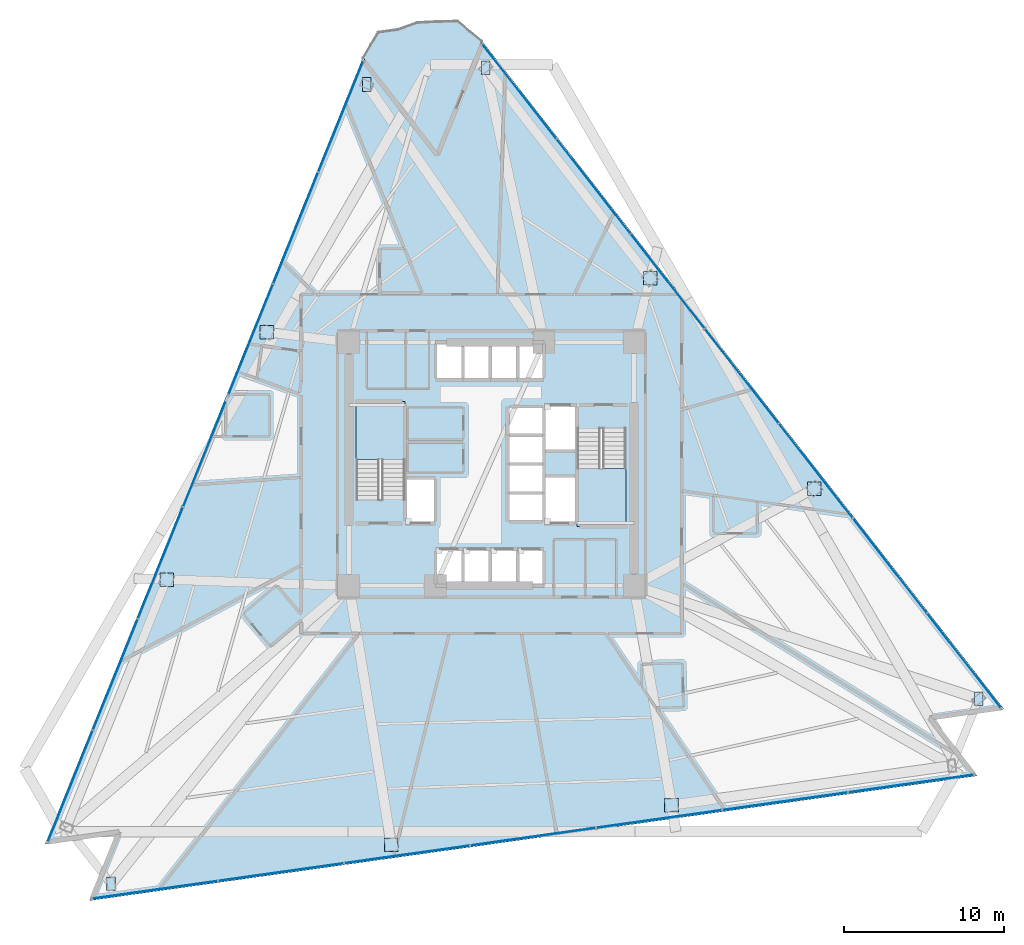
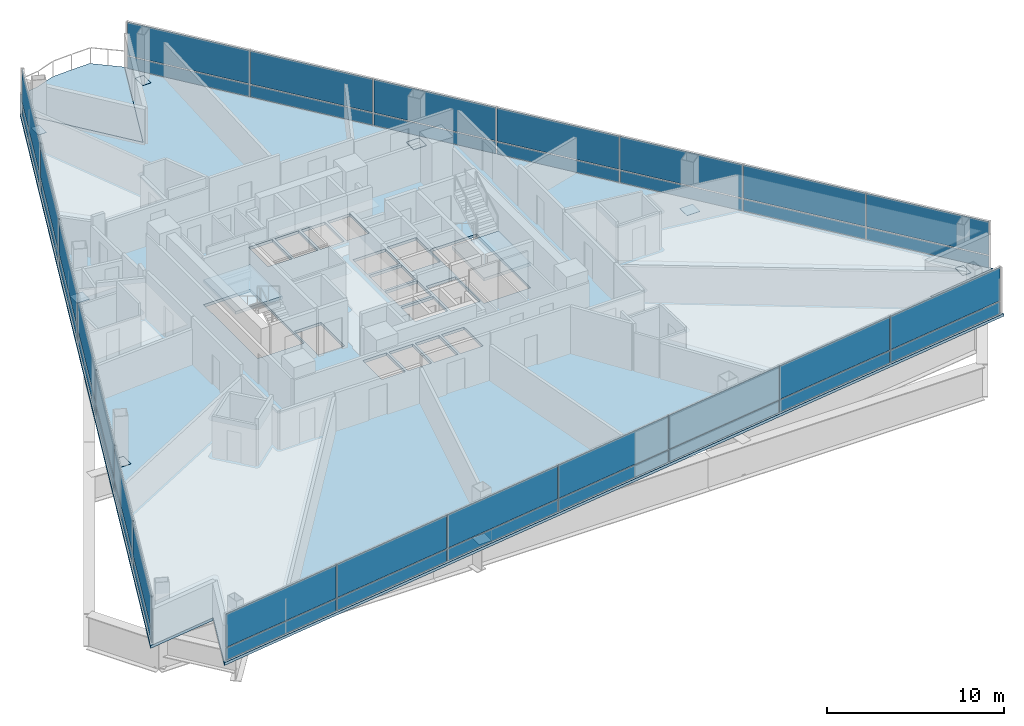
# One storey, part 6 of 15: 52 plates, 4 slabs, 5 elements without a shape of their own.
"""IFC4 building model written with IfcOpenShell, lengths in metres."""

import ifcopenshell
import ifcopenshell.guid

model = None  # the IFC model being written
_history = None  # IfcOwnerHistory: only IFC2X3 demands one
_inside = {}  # id of a spatial element -> (the spatial element, [elements in it])
_under = {}  # id of a project, library or spatial element -> (it, [spatial elements below it])
_declared = {}  # id of a project -> (the project, [libraries it declares])
_typed = {}  # id of a type object -> (the type object, [elements of that type])
_made_of = {}  # id of a material, layer set ... -> (it, [elements and type objects made of it])


def new_model(schema):
    """Start an empty IFC model of exactly this schema.

    Asked for "IFC4X3", IfcOpenShell would pick the latest addendum, in which some entities
    have other attributes; the version numbers below select the first issue.
    IFC2X3 requires an IfcOwnerHistory on every rooted entity: one is made here for all.
    """
    global model, _history
    if schema == "IFC4X3":
        model = ifcopenshell.file(schema_version=(4, 3, 0, 0))
    else:
        model = ifcopenshell.file(schema=schema)
    _inside.clear()
    _under.clear()
    _declared.clear()
    _typed.clear()
    _made_of.clear()
    _history = None
    if model.schema == "IFC2X3":
        org = make("IfcOrganization", Name="unknown")
        user = make(
            "IfcPersonAndOrganization",
            ThePerson=make("IfcPerson", FamilyName="unknown"),
            TheOrganization=org,
        )
        app = make(
            "IfcApplication",
            ApplicationDeveloper=org,
            Version="unknown",
            ApplicationFullName="unknown",
            ApplicationIdentifier="unknown",
        )
        _history = make(
            "IfcOwnerHistory",
            OwningUser=user,
            OwningApplication=app,
            ChangeAction="ADDED",
            CreationDate=0,
        )
    return model


def make(cls, **values):
    """One entity of the class cls with the attributes given. An attribute that is None is left unset."""
    return model.create_entity(
        cls, **{name: value for name, value in values.items() if value is not None}
    )


def rooted(cls, **values):
    """An entity with a GlobalId (a new one), such as an element, a storey or a relation."""
    return make(cls, GlobalId=ifcopenshell.guid.new(), OwnerHistory=_history, **values)


def si_unit(unit_type, name, prefix=None):
    """IfcSIUnit, for example si_unit("LENGTHUNIT", "METRE", prefix="MILLI")."""
    return make("IfcSIUnit", UnitType=unit_type, Prefix=prefix, Name=name)


def assignment(units):
    """IfcUnitAssignment: the units of a project."""
    return None if units is None else make("IfcUnitAssignment", Units=units)


def point(xyz):
    """IfcCartesianPoint."""
    return None if xyz is None else make("IfcCartesianPoint", Coordinates=xyz)


def direction(xyz):
    """IfcDirection."""
    return None if xyz is None else make("IfcDirection", DirectionRatios=xyz)


def frame(location, z_axis=None, x_axis=None):
    """IfcAxis2Placement3D, a coordinate frame: its origin and axes. An axis left out is left unset."""
    return make(
        "IfcAxis2Placement3D",
        Location=point(location),
        Axis=direction(z_axis),
        RefDirection=direction(x_axis),
    )


def frame_2d(location, x_axis=None):
    """IfcAxis2Placement2D, a coordinate frame in the plane: its origin and x axis."""
    return make(
        "IfcAxis2Placement2D", Location=point(location), RefDirection=direction(x_axis)
    )


def origin():
    """The frame at (0, 0, 0) with its axes left unset."""
    return frame((0.0, 0.0, 0.0))


def origin_2d():
    """The frame at (0, 0) in the plane with its x axis left unset."""
    return frame_2d((0.0, 0.0))


def place(relative_to, where):
    """IfcLocalPlacement: puts the frame where relative to a parent placement (None: the world)."""
    return make(
        "IfcLocalPlacement", PlacementRelTo=relative_to, RelativePlacement=where
    )


def context(
    kind, dimensions, precision=None, world=None, true_north=None, identifier=None
):
    """IfcGeometricRepresentationContext, for example the 3D "Model" context."""
    return make(
        "IfcGeometricRepresentationContext",
        ContextIdentifier=identifier,
        ContextType=kind,
        CoordinateSpaceDimension=dimensions,
        Precision=precision,
        WorldCoordinateSystem=world,
        TrueNorth=true_north,
    )


def subcontext(parent, identifier, kind, view, scale=None):
    """IfcGeometricRepresentationSubContext, for example "Body" below "Model"."""
    return make(
        "IfcGeometricRepresentationSubContext",
        ContextIdentifier=identifier,
        ContextType=kind,
        ParentContext=parent,
        TargetScale=scale,
        TargetView=view,
    )


def project(units=None, contexts=None):
    """IfcProject with its units and contexts."""
    return rooted(
        "IfcProject",
        Name="project",
        RepresentationContexts=contexts,
        UnitsInContext=assignment(units),
    )


def spatial(cls, under=None, at=None, **own):
    """A site, building, storey or space (cls), placed at a placement, below another one or the project."""
    s = rooted(cls, ObjectPlacement=at, **own)
    if under is not None:
        _under.setdefault(under.id(), (under, []))[1].append(s)
    return s


def polyline(points):
    """IfcPolyline through the points."""
    return make("IfcPolyline", Points=[point(p) for p in points])


def profile(cls, at=None, kind="AREA", **sizes):
    """A parametric profile (cls). Its sizes go by their IFC names, for example OverallWidth=200.0."""
    return make(cls, ProfileType=kind, Position=at, **sizes)


def rectangle(**sizes):
    """IfcRectangleProfileDef."""
    return profile("IfcRectangleProfileDef", **sizes)


def outline(outer, holes=None, kind="AREA"):
    """IfcArbitraryClosedProfileDef: a profile drawn as a closed curve; with holes, ...WithVoids."""
    if holes is None:
        return make("IfcArbitraryClosedProfileDef", ProfileType=kind, OuterCurve=outer)
    return make(
        "IfcArbitraryProfileDefWithVoids",
        ProfileType=kind,
        OuterCurve=outer,
        InnerCurves=holes,
    )


def extrude(swept, where, along, depth):
    """IfcExtrudedAreaSolid: the profile swept, set in the frame where, extruded along a direction by depth."""
    return make(
        "IfcExtrudedAreaSolid",
        SweptArea=swept,
        Position=where,
        ExtrudedDirection=direction(along),
        Depth=depth,
    )


def shape(context_of_items, identifier, shape_type, items):
    """IfcShapeRepresentation: the items that make up one representation, for example the "Body"."""
    return make(
        "IfcShapeRepresentation",
        ContextOfItems=context_of_items,
        RepresentationIdentifier=identifier,
        RepresentationType=shape_type,
        Items=items,
    )


def material(Name=None, Category=None):
    """IfcMaterial."""
    return make("IfcMaterial", Name=Name, Category=Category)


def layer(
    of_material, thickness, ventilated=None, Name=None, Category=None, Priority=None
):
    """IfcMaterialLayer: one layer of a wall or slab, of a material (None: an air gap)."""
    return make(
        "IfcMaterialLayer",
        Material=of_material,
        LayerThickness=thickness,
        IsVentilated=ventilated,
        Name=Name,
        Category=Category,
        Priority=Priority,
    )


def layer_set(layers, Name=None):
    """IfcMaterialLayerSet."""
    return make("IfcMaterialLayerSet", MaterialLayers=layers, LayerSetName=Name)


def made_of(thing, what):
    """Note that an element or type object is made of a material, layer set ...; save() writes the relation."""
    if what is not None:
        _made_of.setdefault(what.id(), (what, []))[1].append(thing)
    return thing


def type_object(cls, material=None, **own):
    """A type object (cls), such as IfcWallType, which elements share."""
    return made_of(rooted(cls, **own), material)


def element(
    cls,
    number,
    at=None,
    inside=None,
    cuts=None,
    type_object=None,
    material=None,
    context=None,
    identifier="Body",
    shape_type=None,
    held_by="IfcProductDefinitionShape",
    body=None,
    shapes=None,
    **own,
):
    """One element of the class cls, such as IfcWall. Its Tag is "e" and its number.

    at: its placement. inside: the storey or other place that contains it. cuts: it is an
    opening in that element (IfcRelVoidsElement). A single representation is given by context,
    identifier, shape_type and body (its items); several are given by shapes. held_by: the class
    of the entity that holds the representations. save() writes the other relations.
    """
    e = rooted(cls, Tag="e%d" % number, ObjectPlacement=at, **own)
    if body is not None:
        shapes = [shape(context, identifier, shape_type, body)]
    if shapes is not None:
        e.Representation = make(held_by, Representations=shapes)
    if inside is not None:
        _inside.setdefault(inside.id(), (inside, []))[1].append(e)
    if cuts is not None:
        rooted(
            "IfcRelVoidsElement", RelatingBuildingElement=cuts, RelatedOpeningElement=e
        )
    if type_object is not None:
        _typed.setdefault(type_object.id(), (type_object, []))[1].append(e)
    return made_of(e, material)


def aggregate(whole, parts):
    """IfcRelAggregates: a whole, such as a stair, and the parts it consists of."""
    return rooted("IfcRelAggregates", RelatingObject=whole, RelatedObjects=parts)


def save(model, path):
    """Write the relations noted so far, then the file.

    IfcRelAggregates (storeys below a building ...), IfcRelContainedInSpatialStructure (elements
    in a storey), IfcRelDefinesByType, IfcRelAssociatesMaterial and IfcRelDeclares: one each for
    every whole, place, type object, material and project.
    """
    for whole, parts in _under.values():
        aggregate(whole, parts)
    for where, things in _inside.values():
        rooted(
            "IfcRelContainedInSpatialStructure",
            RelatedElements=things,
            RelatingStructure=where,
        )
    for kind, things in _typed.values():
        rooted("IfcRelDefinesByType", RelatedObjects=things, RelatingType=kind)
    for what, things in _made_of.values():
        rooted("IfcRelAssociatesMaterial", RelatedObjects=things, RelatingMaterial=what)
    for by, libraries in _declared.values():
        rooted("IfcRelDeclares", RelatingContext=by, RelatedDefinitions=libraries)
    model.write(path)


model = new_model("IFC4")

# Units and contexts
model_context = context("Model", 3, precision=1e-05, world=origin(), true_north=direction((0.0, 1.0)))
body_context = subcontext(model_context, "Body", "Model", "MODEL_VIEW")
ifc_project = project(units=[si_unit("LENGTHUNIT", "METRE"), si_unit("AREAUNIT", "SQUARE_METRE"), si_unit("VOLUMEUNIT", "CUBIC_METRE"), si_unit("PLANEANGLEUNIT", "RADIAN"), si_unit("MASSUNIT", "GRAM", prefix="KILO")], contexts=[model_context])

# Site, building, storey
site_placement = place(None, origin())
site = spatial("IfcSite", under=ifc_project, at=site_placement, CompositionType="ELEMENT")
building_placement = place(site_placement, origin())
building = spatial("IfcBuilding", under=site, at=building_placement, Name="Tharavind Bronze Gate", CompositionType="ELEMENT")
storey_placement = place(building_placement, frame((0.0, 0.0, 57.0)))
storey = spatial("IfcBuildingStorey", under=building, at=storey_placement, Name="L13", CompositionType="ELEMENT", Elevation=57.0)

# Curtain wall, plates
ifc_material_1 = material(Name="Anodised Bronze Aluminium", Category="aluminium")
ifc_layer_1 = layer(ifc_material_1, 0.219970703125)
ifc_layer_set_1 = layer_set([ifc_layer_1], Name="Anodised Bronze Aluminium")
curtain_wall_type = type_object("IfcCurtainWallType", Name="UNITISED CURTAIN WALL HOTEL", PredefinedType="USERDEFINED", material=ifc_layer_set_1)
curtain_wall_1_placement = place(storey_placement, origin())
curtain_wall_1 = element("IfcCurtainWall", 1, at=curtain_wall_1_placement, inside=storey, type_object=curtain_wall_type, Name="L13 unitised curtain wall hotel CW-L13-S1", ObjectType="UNITISED CURTAIN WALL", PredefinedType="USERDEFINED")
ifc_material_2 = material(Name="Patinated Bronze Alloy Sheet", Category="bronze")
ifc_layer_2 = layer(ifc_material_2, 0.01611328125)
ifc_layer_set_2 = layer_set([ifc_layer_2], Name="Patinated Bronze Alloy Sheet")
plate_type_1 = type_object("IfcPlateType", Name="BRONZE SPANDREL CLADDING PANEL 16", PredefinedType="CURTAIN_PANEL", material=ifc_layer_set_2)
plate_1_placement = place(storey_placement, frame((-9.408203125, 21.69921875, 0.033935546875), z_axis=(0.0, 0.0, 1.0), x_axis=(-0.374606593416, -0.927183854567, 0.0)))
plate_1 = element("IfcPlate", 2, at=plate_1_placement, type_object=plate_type_1, Name="CW-L13-S1 bronze spandrel panel 1", PredefinedType="CURTAIN_PANEL", context=body_context, shape_type="SweptSolid", body=[
    extrude(rectangle(XDim=7.447021484375, YDim=0.01611328125, at=origin_2d()), origin(), (0.0, 0.0, 1.0), 0.83203125),
])
plate_2_placement = place(storey_placement, frame((-12.223388671875, 14.731201171875, 0.033935546875), z_axis=(0.0, 0.0, 1.0), x_axis=(-0.374606593416, -0.927183854567, 0.0)))
plate_2 = element("IfcPlate", 3, at=plate_2_placement, type_object=plate_type_1, Name="CW-L13-S1 bronze spandrel panel 2", PredefinedType="CURTAIN_PANEL", context=body_context, shape_type="SweptSolid", body=[
    extrude(rectangle(XDim=7.447021484375, YDim=0.01611328125, at=origin_2d()), origin(), (0.0, 0.0, 1.0), 0.83203125),
])
plate_3_placement = place(storey_placement, frame((-15.038818359375, 7.763427734375, 0.033935546875), z_axis=(0.0, 0.0, 1.0), x_axis=(-0.374606593416, -0.927183854567, 0.0)))
plate_3 = element("IfcPlate", 4, at=plate_3_placement, type_object=plate_type_1, Name="CW-L13-S1 bronze spandrel panel 3", PredefinedType="CURTAIN_PANEL", context=body_context, shape_type="SweptSolid", body=[
    extrude(rectangle(XDim=7.447021484375, YDim=0.01611328125, at=origin_2d()), origin(), (0.0, 0.0, 1.0), 0.83203125),
])
plate_4_placement = place(storey_placement, frame((-17.85400390625, 0.795654296875, 0.033935546875), z_axis=(0.0, 0.0, 1.0), x_axis=(-0.374606593416, -0.927183854567, 0.0)))
plate_4 = element("IfcPlate", 5, at=plate_4_placement, type_object=plate_type_1, Name="CW-L13-S1 bronze spandrel panel 4", PredefinedType="CURTAIN_PANEL", context=body_context, shape_type="SweptSolid", body=[
    extrude(rectangle(XDim=7.447021484375, YDim=0.01611328125, at=origin_2d()), origin(), (0.0, 0.0, 1.0), 0.83203125),
])
plate_5_placement = place(storey_placement, frame((-20.669189453125, -6.17236328125, 0.033935546875), z_axis=(0.0, 0.0, 1.0), x_axis=(-0.374606593416, -0.927183854567, 0.0)))
plate_5 = element("IfcPlate", 6, at=plate_5_placement, type_object=plate_type_1, Name="CW-L13-S1 bronze spandrel panel 5", PredefinedType="CURTAIN_PANEL", context=body_context, shape_type="SweptSolid", body=[
    extrude(rectangle(XDim=7.447021484375, YDim=0.01611328125, at=origin_2d()), origin(), (0.0, 0.0, 1.0), 0.83203125),
])
plate_6_placement = place(storey_placement, frame((-23.484375, -13.14013671875, 0.033935546875), z_axis=(0.0, 0.0, 1.0), x_axis=(-0.374606593416, -0.927183854567, 0.0)))
plate_6 = element("IfcPlate", 7, at=plate_6_placement, type_object=plate_type_1, Name="CW-L13-S1 bronze spandrel panel 6", PredefinedType="CURTAIN_PANEL", context=body_context, shape_type="SweptSolid", body=[
    extrude(rectangle(XDim=7.447021484375, YDim=0.01611328125, at=origin_2d()), origin(), (0.0, 0.0, 1.0), 0.83203125),
])
plate_7_placement = place(storey_placement, frame((-26.299560546875, -20.10791015625, 0.033935546875), z_axis=(0.0, 0.0, 1.0), x_axis=(-0.374606593416, -0.927183854567, 0.0)))
plate_7 = element("IfcPlate", 8, at=plate_7_placement, type_object=plate_type_1, Name="CW-L13-S1 bronze spandrel panel 7", PredefinedType="CURTAIN_PANEL", context=body_context, shape_type="SweptSolid", body=[
    extrude(rectangle(XDim=7.447021484375, YDim=0.01611328125, at=origin_2d()), origin(), (0.0, 0.0, 1.0), 0.83203125),
])

curtain_wall_2_placement = place(storey_placement, origin())
curtain_wall_2 = element("IfcCurtainWall", 9, at=curtain_wall_2_placement, inside=storey, type_object=curtain_wall_type, Name="L13 unitised curtain wall hotel CW-L13-S2", ObjectType="UNITISED CURTAIN WALL", PredefinedType="USERDEFINED")
plate_8_placement = place(storey_placement, frame((-21.00341796875, -26.585205078125, 0.033935546875), z_axis=(0.0, 0.0, 1.0), x_axis=(0.990268068742, 0.13917310096, 0.0)))
plate_8 = element("IfcPlate", 10, at=plate_8_placement, type_object=plate_type_1, Name="CW-L13-S2 bronze spandrel panel 1", PredefinedType="CURTAIN_PANEL", context=body_context, shape_type="SweptSolid", body=[
    extrude(rectangle(XDim=7.87548828125, YDim=0.01611328125, at=origin_2d()), origin(), (0.0, 0.0, 1.0), 0.83203125),
])
plate_9_placement = place(storey_placement, frame((-13.13720703125, -25.4794921875, 0.033935546875), z_axis=(0.0, 0.0, 1.0), x_axis=(0.990268068742, 0.13917310096, 0.0)))
plate_9 = element("IfcPlate", 11, at=plate_9_placement, type_object=plate_type_1, Name="CW-L13-S2 bronze spandrel panel 2", PredefinedType="CURTAIN_PANEL", context=body_context, shape_type="SweptSolid", body=[
    extrude(rectangle(XDim=7.87548828125, YDim=0.01611328125, at=origin_2d()), origin(), (0.0, 0.0, 1.0), 0.83203125),
])
plate_10_placement = place(storey_placement, frame((-5.270751953125, -24.3740234375, 0.033935546875), z_axis=(0.0, 0.0, 1.0), x_axis=(0.990268068742, 0.13917310096, 0.0)))
plate_10 = element("IfcPlate", 12, at=plate_10_placement, type_object=plate_type_1, Name="CW-L13-S2 bronze spandrel panel 3", PredefinedType="CURTAIN_PANEL", context=body_context, shape_type="SweptSolid", body=[
    extrude(rectangle(XDim=7.87548828125, YDim=0.01611328125, at=origin_2d()), origin(), (0.0, 0.0, 1.0), 0.83203125),
])
plate_11_placement = place(storey_placement, frame((2.595703125, -23.2685546875, 0.033935546875), z_axis=(0.0, 0.0, 1.0), x_axis=(0.990268068742, 0.13917310096, 0.0)))
plate_11 = element("IfcPlate", 13, at=plate_11_placement, type_object=plate_type_1, Name="CW-L13-S2 bronze spandrel panel 4", PredefinedType="CURTAIN_PANEL", context=body_context, shape_type="SweptSolid", body=[
    extrude(rectangle(XDim=7.87548828125, YDim=0.01611328125, at=origin_2d()), origin(), (0.0, 0.0, 1.0), 0.83203125),
])
plate_12_placement = place(storey_placement, frame((10.4619140625, -22.1630859375, 0.033935546875), z_axis=(0.0, 0.0, 1.0), x_axis=(0.990268068742, 0.13917310096, 0.0)))
plate_12 = element("IfcPlate", 14, at=plate_12_placement, type_object=plate_type_1, Name="CW-L13-S2 bronze spandrel panel 5", PredefinedType="CURTAIN_PANEL", context=body_context, shape_type="SweptSolid", body=[
    extrude(rectangle(XDim=7.87548828125, YDim=0.01611328125, at=origin_2d()), origin(), (0.0, 0.0, 1.0), 0.83203125),
])
plate_13_placement = place(storey_placement, frame((18.328369140625, -21.057373046875, 0.033935546875), z_axis=(0.0, 0.0, 1.0), x_axis=(0.990268068742, 0.13917310096, 0.0)))
plate_13 = element("IfcPlate", 15, at=plate_13_placement, type_object=plate_type_1, Name="CW-L13-S2 bronze spandrel panel 6", PredefinedType="CURTAIN_PANEL", context=body_context, shape_type="SweptSolid", body=[
    extrude(rectangle(XDim=7.87548828125, YDim=0.01611328125, at=origin_2d()), origin(), (0.0, 0.0, 1.0), 0.83203125),
])
plate_14_placement = place(storey_placement, frame((26.194580078125, -19.951904296875, 0.033935546875), z_axis=(0.0, 0.0, 1.0), x_axis=(0.990268068742, 0.13917310096, 0.0)))
plate_14 = element("IfcPlate", 16, at=plate_14_placement, type_object=plate_type_1, Name="CW-L13-S2 bronze spandrel panel 7", PredefinedType="CURTAIN_PANEL", context=body_context, shape_type="SweptSolid", body=[
    extrude(rectangle(XDim=7.87548828125, YDim=0.01611328125, at=origin_2d()), origin(), (0.0, 0.0, 1.0), 0.83203125),
])

curtain_wall_3_placement = place(storey_placement, origin())
curtain_wall_3 = element("IfcCurtainWall", 17, at=curtain_wall_3_placement, inside=storey, type_object=curtain_wall_type, Name="L13 unitised curtain wall hotel CW-L13-S3", ObjectType="UNITISED CURTAIN WALL", PredefinedType="USERDEFINED")
plate_15_placement = place(storey_placement, frame((29.5, -12.265869140625, 0.033935546875), z_axis=(0.0, 0.0, 1.0), x_axis=(-0.615661475326, 0.788010753607, 0.0)))
plate_15 = element("IfcPlate", 18, at=plate_15_placement, type_object=plate_type_1, Name="CW-L13-S3 bronze spandrel panel 1", PredefinedType="CURTAIN_PANEL", context=body_context, shape_type="SweptSolid", body=[
    extrude(rectangle(XDim=7.447021484375, YDim=0.01611328125, at=origin_2d()), origin(), (0.0, 0.0, 1.0), 0.83203125),
])
plate_16_placement = place(storey_placement, frame((24.873291015625, -6.343994140625, 0.033935546875), z_axis=(0.0, 0.0, 1.0), x_axis=(-0.615661475326, 0.788010753607, 0.0)))
plate_16 = element("IfcPlate", 19, at=plate_16_placement, type_object=plate_type_1, Name="CW-L13-S3 bronze spandrel panel 2", PredefinedType="CURTAIN_PANEL", context=body_context, shape_type="SweptSolid", body=[
    extrude(rectangle(XDim=7.447021484375, YDim=0.01611328125, at=origin_2d()), origin(), (0.0, 0.0, 1.0), 0.83203125),
])
plate_17_placement = place(storey_placement, frame((20.24658203125, -0.421875, 0.033935546875), z_axis=(0.0, 0.0, 1.0), x_axis=(-0.615661475326, 0.788010753607, 0.0)))
plate_17 = element("IfcPlate", 20, at=plate_17_placement, type_object=plate_type_1, Name="CW-L13-S3 bronze spandrel panel 3", PredefinedType="CURTAIN_PANEL", context=body_context, shape_type="SweptSolid", body=[
    extrude(rectangle(XDim=7.447021484375, YDim=0.01611328125, at=origin_2d()), origin(), (0.0, 0.0, 1.0), 0.83203125),
])
plate_18_placement = place(storey_placement, frame((15.619873046875, 5.5, 0.033935546875), z_axis=(0.0, 0.0, 1.0), x_axis=(-0.615661475326, 0.788010753607, 0.0)))
plate_18 = element("IfcPlate", 21, at=plate_18_placement, type_object=plate_type_1, Name="CW-L13-S3 bronze spandrel panel 4", PredefinedType="CURTAIN_PANEL", context=body_context, shape_type="SweptSolid", body=[
    extrude(rectangle(XDim=7.447021484375, YDim=0.01611328125, at=origin_2d()), origin(), (0.0, 0.0, 1.0), 0.83203125),
])
plate_19_placement = place(storey_placement, frame((10.9931640625, 11.422119140625, 0.033935546875), z_axis=(0.0, 0.0, 1.0), x_axis=(-0.615661475326, 0.788010753607, 0.0)))
plate_19 = element("IfcPlate", 22, at=plate_19_placement, type_object=plate_type_1, Name="CW-L13-S3 bronze spandrel panel 5", PredefinedType="CURTAIN_PANEL", context=body_context, shape_type="SweptSolid", body=[
    extrude(rectangle(XDim=7.447021484375, YDim=0.01611328125, at=origin_2d()), origin(), (0.0, 0.0, 1.0), 0.83203125),
])
plate_20_placement = place(storey_placement, frame((6.366455078125, 17.343994140625, 0.033935546875), z_axis=(0.0, 0.0, 1.0), x_axis=(-0.615661475326, 0.788010753607, 0.0)))
plate_20 = element("IfcPlate", 23, at=plate_20_placement, type_object=plate_type_1, Name="CW-L13-S3 bronze spandrel panel 6", PredefinedType="CURTAIN_PANEL", context=body_context, shape_type="SweptSolid", body=[
    extrude(rectangle(XDim=7.447021484375, YDim=0.01611328125, at=origin_2d()), origin(), (0.0, 0.0, 1.0), 0.83203125),
])
plate_21_placement = place(storey_placement, frame((1.73974609375, 23.265869140625, 0.033935546875), z_axis=(0.0, 0.0, 1.0), x_axis=(-0.615661475326, 0.788010753607, 0.0)))
plate_21 = element("IfcPlate", 24, at=plate_21_placement, type_object=plate_type_1, Name="CW-L13-S3 bronze spandrel panel 7", PredefinedType="CURTAIN_PANEL", context=body_context, shape_type="SweptSolid", body=[
    extrude(rectangle(XDim=7.447021484375, YDim=0.01611328125, at=origin_2d()), origin(), (0.0, 0.0, 1.0), 0.83203125),
])

# Plate
ifc_material_3 = material(Name="Low-E Double Glazing", Category="glass")
ifc_layer_3 = layer(ifc_material_3, 0.031982421875)
ifc_layer_set_3 = layer_set([ifc_layer_3], Name="Low-E Double Glazing")
plate_type_2 = type_object("IfcPlateType", Name="DOUBLE GLAZED FACADE PANEL 32", PredefinedType="CURTAIN_PANEL", material=ifc_layer_set_3)
plate_22_placement = place(storey_placement, frame((-9.408203125, 21.69921875, 0.93408203125), z_axis=(0.0, 0.0, 1.0), x_axis=(-0.374606593416, -0.927183854567, 0.0)))
plate_22 = element("IfcPlate", 25, at=plate_22_placement, type_object=plate_type_2, Name="CW-L13-S1 vision glazing panel 1", PredefinedType="CURTAIN_PANEL", context=body_context, shape_type="SweptSolid", body=[
    extrude(rectangle(XDim=7.447021484375, YDim=0.031982421875, at=origin_2d()), origin(), (0.0, 0.0, 1.0), 2.306884765625),
])

plate_23_placement = place(storey_placement, frame((-12.223388671875, 14.731201171875, 0.93408203125), z_axis=(0.0, 0.0, 1.0), x_axis=(-0.374606593416, -0.927183854567, 0.0)))
plate_23 = element("IfcPlate", 26, at=plate_23_placement, type_object=plate_type_2, Name="CW-L13-S1 vision glazing panel 2", PredefinedType="CURTAIN_PANEL", context=body_context, shape_type="SweptSolid", body=[
    extrude(rectangle(XDim=7.447021484375, YDim=0.031982421875, at=origin_2d()), origin(), (0.0, 0.0, 1.0), 2.306884765625),
])

plate_24_placement = place(storey_placement, frame((-15.038818359375, 7.763427734375, 0.93408203125), z_axis=(0.0, 0.0, 1.0), x_axis=(-0.374606593416, -0.927183854567, 0.0)))
plate_24 = element("IfcPlate", 27, at=plate_24_placement, type_object=plate_type_2, Name="CW-L13-S1 vision glazing panel 3", PredefinedType="CURTAIN_PANEL", context=body_context, shape_type="SweptSolid", body=[
    extrude(rectangle(XDim=7.447021484375, YDim=0.031982421875, at=origin_2d()), origin(), (0.0, 0.0, 1.0), 2.306884765625),
])

plate_25_placement = place(storey_placement, frame((-17.85400390625, 0.795654296875, 0.93408203125), z_axis=(0.0, 0.0, 1.0), x_axis=(-0.374606593416, -0.927183854567, 0.0)))
plate_25 = element("IfcPlate", 28, at=plate_25_placement, type_object=plate_type_2, Name="CW-L13-S1 vision glazing panel 4", PredefinedType="CURTAIN_PANEL", context=body_context, shape_type="SweptSolid", body=[
    extrude(rectangle(XDim=7.447021484375, YDim=0.031982421875, at=origin_2d()), origin(), (0.0, 0.0, 1.0), 2.306884765625),
])

plate_26_placement = place(storey_placement, frame((-20.669189453125, -6.17236328125, 0.93408203125), z_axis=(0.0, 0.0, 1.0), x_axis=(-0.374606593416, -0.927183854567, 0.0)))
plate_26 = element("IfcPlate", 29, at=plate_26_placement, type_object=plate_type_2, Name="CW-L13-S1 vision glazing panel 5", PredefinedType="CURTAIN_PANEL", context=body_context, shape_type="SweptSolid", body=[
    extrude(rectangle(XDim=7.447021484375, YDim=0.031982421875, at=origin_2d()), origin(), (0.0, 0.0, 1.0), 2.306884765625),
])

plate_27_placement = place(storey_placement, frame((-23.484375, -13.14013671875, 0.93408203125), z_axis=(0.0, 0.0, 1.0), x_axis=(-0.374606593416, -0.927183854567, 0.0)))
plate_27 = element("IfcPlate", 30, at=plate_27_placement, type_object=plate_type_2, Name="CW-L13-S1 vision glazing panel 6", PredefinedType="CURTAIN_PANEL", context=body_context, shape_type="SweptSolid", body=[
    extrude(rectangle(XDim=7.447021484375, YDim=0.031982421875, at=origin_2d()), origin(), (0.0, 0.0, 1.0), 2.306884765625),
])

plate_28_placement = place(storey_placement, frame((-26.299560546875, -20.10791015625, 0.93408203125), z_axis=(0.0, 0.0, 1.0), x_axis=(-0.374606593416, -0.927183854567, 0.0)))
plate_28 = element("IfcPlate", 31, at=plate_28_placement, type_object=plate_type_2, Name="CW-L13-S1 vision glazing panel 7", PredefinedType="CURTAIN_PANEL", context=body_context, shape_type="SweptSolid", body=[
    extrude(rectangle(XDim=7.447021484375, YDim=0.031982421875, at=origin_2d()), origin(), (0.0, 0.0, 1.0), 2.306884765625),
])

aggregate(curtain_wall_1, [plate_1, plate_22, plate_2, plate_23, plate_3, plate_24, plate_4, plate_25, plate_5, plate_26, plate_6, plate_27, plate_7, plate_28])

plate_29_placement = place(storey_placement, frame((-21.00341796875, -26.585205078125, 0.93408203125), z_axis=(0.0, 0.0, 1.0), x_axis=(0.990268068742, 0.13917310096, 0.0)))
plate_29 = element("IfcPlate", 32, at=plate_29_placement, type_object=plate_type_2, Name="CW-L13-S2 vision glazing panel 1", PredefinedType="CURTAIN_PANEL", context=body_context, shape_type="SweptSolid", body=[
    extrude(rectangle(XDim=7.87548828125, YDim=0.031982421875, at=origin_2d()), origin(), (0.0, 0.0, 1.0), 2.306884765625),
])

plate_30_placement = place(storey_placement, frame((-13.13720703125, -25.4794921875, 0.93408203125), z_axis=(0.0, 0.0, 1.0), x_axis=(0.990268068742, 0.13917310096, 0.0)))
plate_30 = element("IfcPlate", 33, at=plate_30_placement, type_object=plate_type_2, Name="CW-L13-S2 vision glazing panel 2", PredefinedType="CURTAIN_PANEL", context=body_context, shape_type="SweptSolid", body=[
    extrude(rectangle(XDim=7.87548828125, YDim=0.031982421875, at=origin_2d()), origin(), (0.0, 0.0, 1.0), 2.306884765625),
])

plate_31_placement = place(storey_placement, frame((-5.270751953125, -24.3740234375, 0.93408203125), z_axis=(0.0, 0.0, 1.0), x_axis=(0.990268068742, 0.13917310096, 0.0)))
plate_31 = element("IfcPlate", 34, at=plate_31_placement, type_object=plate_type_2, Name="CW-L13-S2 vision glazing panel 3", PredefinedType="CURTAIN_PANEL", context=body_context, shape_type="SweptSolid", body=[
    extrude(rectangle(XDim=7.87548828125, YDim=0.031982421875, at=origin_2d()), origin(), (0.0, 0.0, 1.0), 2.306884765625),
])

plate_32_placement = place(storey_placement, frame((2.595703125, -23.2685546875, 0.93408203125), z_axis=(0.0, 0.0, 1.0), x_axis=(0.990268068742, 0.13917310096, 0.0)))
plate_32 = element("IfcPlate", 35, at=plate_32_placement, type_object=plate_type_2, Name="CW-L13-S2 vision glazing panel 4", PredefinedType="CURTAIN_PANEL", context=body_context, shape_type="SweptSolid", body=[
    extrude(rectangle(XDim=7.87548828125, YDim=0.031982421875, at=origin_2d()), origin(), (0.0, 0.0, 1.0), 2.306884765625),
])

plate_33_placement = place(storey_placement, frame((10.4619140625, -22.1630859375, 0.93408203125), z_axis=(0.0, 0.0, 1.0), x_axis=(0.990268068742, 0.13917310096, 0.0)))
plate_33 = element("IfcPlate", 36, at=plate_33_placement, type_object=plate_type_2, Name="CW-L13-S2 vision glazing panel 5", PredefinedType="CURTAIN_PANEL", context=body_context, shape_type="SweptSolid", body=[
    extrude(rectangle(XDim=7.87548828125, YDim=0.031982421875, at=origin_2d()), origin(), (0.0, 0.0, 1.0), 2.306884765625),
])

plate_34_placement = place(storey_placement, frame((18.328369140625, -21.057373046875, 0.93408203125), z_axis=(0.0, 0.0, 1.0), x_axis=(0.990268068742, 0.13917310096, 0.0)))
plate_34 = element("IfcPlate", 37, at=plate_34_placement, type_object=plate_type_2, Name="CW-L13-S2 vision glazing panel 6", PredefinedType="CURTAIN_PANEL", context=body_context, shape_type="SweptSolid", body=[
    extrude(rectangle(XDim=7.87548828125, YDim=0.031982421875, at=origin_2d()), origin(), (0.0, 0.0, 1.0), 2.306884765625),
])

plate_35_placement = place(storey_placement, frame((26.194580078125, -19.951904296875, 0.93408203125), z_axis=(0.0, 0.0, 1.0), x_axis=(0.990268068742, 0.13917310096, 0.0)))
plate_35 = element("IfcPlate", 38, at=plate_35_placement, type_object=plate_type_2, Name="CW-L13-S2 vision glazing panel 7", PredefinedType="CURTAIN_PANEL", context=body_context, shape_type="SweptSolid", body=[
    extrude(rectangle(XDim=7.87548828125, YDim=0.031982421875, at=origin_2d()), origin(), (0.0, 0.0, 1.0), 2.306884765625),
])

aggregate(curtain_wall_2, [plate_8, plate_29, plate_9, plate_30, plate_10, plate_31, plate_11, plate_32, plate_12, plate_33, plate_13, plate_34, plate_14, plate_35])

plate_36_placement = place(storey_placement, frame((29.5, -12.265869140625, 0.93408203125), z_axis=(0.0, 0.0, 1.0), x_axis=(-0.615661475326, 0.788010753607, 0.0)))
plate_36 = element("IfcPlate", 39, at=plate_36_placement, type_object=plate_type_2, Name="CW-L13-S3 vision glazing panel 1", PredefinedType="CURTAIN_PANEL", context=body_context, shape_type="SweptSolid", body=[
    extrude(rectangle(XDim=7.447021484375, YDim=0.031982421875, at=origin_2d()), origin(), (0.0, 0.0, 1.0), 2.306884765625),
])

plate_37_placement = place(storey_placement, frame((24.873291015625, -6.343994140625, 0.93408203125), z_axis=(0.0, 0.0, 1.0), x_axis=(-0.615661475326, 0.788010753607, 0.0)))
plate_37 = element("IfcPlate", 40, at=plate_37_placement, type_object=plate_type_2, Name="CW-L13-S3 vision glazing panel 2", PredefinedType="CURTAIN_PANEL", context=body_context, shape_type="SweptSolid", body=[
    extrude(rectangle(XDim=7.447021484375, YDim=0.031982421875, at=origin_2d()), origin(), (0.0, 0.0, 1.0), 2.306884765625),
])

plate_38_placement = place(storey_placement, frame((20.24658203125, -0.421875, 0.93408203125), z_axis=(0.0, 0.0, 1.0), x_axis=(-0.615661475326, 0.788010753607, 0.0)))
plate_38 = element("IfcPlate", 41, at=plate_38_placement, type_object=plate_type_2, Name="CW-L13-S3 vision glazing panel 3", PredefinedType="CURTAIN_PANEL", context=body_context, shape_type="SweptSolid", body=[
    extrude(rectangle(XDim=7.447021484375, YDim=0.031982421875, at=origin_2d()), origin(), (0.0, 0.0, 1.0), 2.306884765625),
])

plate_39_placement = place(storey_placement, frame((15.619873046875, 5.5, 0.93408203125), z_axis=(0.0, 0.0, 1.0), x_axis=(-0.615661475326, 0.788010753607, 0.0)))
plate_39 = element("IfcPlate", 42, at=plate_39_placement, type_object=plate_type_2, Name="CW-L13-S3 vision glazing panel 4", PredefinedType="CURTAIN_PANEL", context=body_context, shape_type="SweptSolid", body=[
    extrude(rectangle(XDim=7.447021484375, YDim=0.031982421875, at=origin_2d()), origin(), (0.0, 0.0, 1.0), 2.306884765625),
])

plate_40_placement = place(storey_placement, frame((10.9931640625, 11.422119140625, 0.93408203125), z_axis=(0.0, 0.0, 1.0), x_axis=(-0.615661475326, 0.788010753607, 0.0)))
plate_40 = element("IfcPlate", 43, at=plate_40_placement, type_object=plate_type_2, Name="CW-L13-S3 vision glazing panel 5", PredefinedType="CURTAIN_PANEL", context=body_context, shape_type="SweptSolid", body=[
    extrude(rectangle(XDim=7.447021484375, YDim=0.031982421875, at=origin_2d()), origin(), (0.0, 0.0, 1.0), 2.306884765625),
])

plate_41_placement = place(storey_placement, frame((6.366455078125, 17.343994140625, 0.93408203125), z_axis=(0.0, 0.0, 1.0), x_axis=(-0.615661475326, 0.788010753607, 0.0)))
plate_41 = element("IfcPlate", 44, at=plate_41_placement, type_object=plate_type_2, Name="CW-L13-S3 vision glazing panel 6", PredefinedType="CURTAIN_PANEL", context=body_context, shape_type="SweptSolid", body=[
    extrude(rectangle(XDim=7.447021484375, YDim=0.031982421875, at=origin_2d()), origin(), (0.0, 0.0, 1.0), 2.306884765625),
])

plate_42_placement = place(storey_placement, frame((1.73974609375, 23.265869140625, 0.93408203125), z_axis=(0.0, 0.0, 1.0), x_axis=(-0.615661475326, 0.788010753607, 0.0)))
plate_42 = element("IfcPlate", 45, at=plate_42_placement, type_object=plate_type_2, Name="CW-L13-S3 vision glazing panel 7", PredefinedType="CURTAIN_PANEL", context=body_context, shape_type="SweptSolid", body=[
    extrude(rectangle(XDim=7.447021484375, YDim=0.031982421875, at=origin_2d()), origin(), (0.0, 0.0, 1.0), 2.306884765625),
])

aggregate(curtain_wall_3, [plate_15, plate_36, plate_16, plate_37, plate_17, plate_38, plate_18, plate_39, plate_19, plate_40, plate_20, plate_41, plate_21, plate_42])

# Slab
ifc_material_4 = material(Name="Concrete C40/50", Category="concrete")
ifc_layer_4 = layer(ifc_material_4, 0.175048828125)
ifc_layer_set_4 = layer_set([ifc_layer_4], Name="Concrete C40/50")
slab_type_1 = type_object("IfcSlabType", Name="EXTERIOR BALCONY SLAB 175", PredefinedType="FLOOR", material=ifc_layer_set_4)
slab_1_placement = place(storey_placement, frame((0.0, 0.0, -0.175048828125)))
element("IfcSlab", 46, at=slab_1_placement, inside=storey, type_object=slab_type_1, Name="L13 northeast tree balcony slab", PredefinedType="FLOOR", context=body_context, shape_type="SweptSolid", body=[
    extrude(outline(polyline([(-2.13671875, 27.72412109375), (-3.39501953125, 27.6962890625), (-4.648681640625, 27.6337890625), (-5.85009765625, 27.2021484375), (-7.088134765625, 27.028076171875), (-8.028564453125, 25.381103515625), (-3.4111328125, 19.47119140625), (-0.6015625, 26.425048828125), (-2.13671875, 27.72412109375)])), origin(), (0.0, 0.0, 1.0), 0.175048828125),
])

# Stair, slab
stair_type = type_object("IfcStairType", Name="CORE HALF TURN STAIR 1450", PredefinedType="HALF_TURN_STAIR", material=ifc_material_4)
stair_1_placement = place(storey_placement, origin())
stair_1 = element("IfcStair", 47, at=stair_1_placement, inside=storey, type_object=stair_type, Name="L13 Protected Exit Stair ST1", PredefinedType="HALF_TURN_STAIR")
ifc_layer_5 = layer(ifc_material_4, 0.199951171875)
ifc_layer_set_5 = layer_set([ifc_layer_5], Name="Concrete C40/50")
slab_type_2 = type_object("IfcSlabType", Name="STAIR LANDING SLAB 200", PredefinedType="LANDING", material=ifc_layer_set_5)
slab_2_placement = place(storey_placement, frame((0.0, 0.0, 1.52490234375)))
slab_2 = element("IfcSlab", 48, at=slab_2_placement, type_object=slab_type_2, Name="ST1 landing 1", PredefinedType="LANDING", context=body_context, shape_type="SweptSolid", body=[
    extrude(outline(polyline([(-5.39990234375, 0.27001953125), (-5.39990234375, 3.89990234375), (-8.449951171875, 3.89990234375), (-8.449951171875, 0.27001953125), (-5.39990234375, 0.27001953125)])), origin(), (0.0, 0.0, 1.0), 0.2001953125),
])
aggregate(stair_1, [slab_2])

stair_2_placement = place(storey_placement, origin())
stair_2 = element("IfcStair", 49, at=stair_2_placement, inside=storey, type_object=stair_type, Name="L13 Protected Exit Stair ST2", PredefinedType="HALF_TURN_STAIR")
slab_3_placement = place(storey_placement, frame((0.0, 0.0, 1.52490234375)))
slab_3 = element("IfcSlab", 50, at=slab_3_placement, type_object=slab_type_2, Name="ST2 landing 1", PredefinedType="LANDING", context=body_context, shape_type="SweptSolid", body=[
    extrude(outline(polyline([(5.35009765625, -0.27001953125), (5.35009765625, -3.89990234375), (8.39990234375, -3.89990234375), (8.39990234375, -0.27001953125), (5.35009765625, -0.27001953125)])), origin(), (0.0, 0.0, 1.0), 0.2001953125),
])
aggregate(stair_2, [slab_3])

# Plates
ifc_material_5 = material(Name="Steel S460", Category="steel")
ifc_layer_6 = layer(ifc_material_5, 0.02490234375)
ifc_layer_set_6 = layer_set([ifc_layer_6], Name="Steel S460")
plate_type_3 = type_object("IfcPlateType", Name="STEEL END CAP SHEET 25", PredefinedType="SHEET", material=ifc_layer_set_6)
plate_43_placement = place(storey_placement, frame((-7.7919921875, 23.69775390625, -0.202392578125), z_axis=(0.0, 0.0, 1.0), x_axis=(1.0, 0.0, 0.0)))
element("IfcPlate", 51, at=plate_43_placement, inside=storey, type_object=plate_type_3, Name="Steel end cap plate CAP-COLB-L13-S1C1", PredefinedType="SHEET", context=body_context, shape_type="SweptSolid", body=[
    extrude(rectangle(XDim=0.544921875, YDim=0.844970703125, at=origin_2d()), origin(), (0.0, 0.0, 1.0), 0.02490234375),
])
for number, where, z_axis, x_axis, name in (
    (52, (-14.036376953125, 8.2421875, -0.202392578125), (0.0, 0.0, 1.0), (1.0, 0.0, 0.0), "Steel end cap plate CAP-COLB-L13-S1C2"),
    (53, (-20.28076171875, -7.212890625, -0.012451171875), (0.0, 0.0, 1.0), (1.0, 0.0, 0.0), "Steel end cap plate CAP-COLB-L13-S1C3"),
):
    element("IfcPlate", number, at=place(storey_placement, frame(where, z_axis=z_axis, x_axis=x_axis)), inside=storey, type_object=plate_type_3, Name=name, PredefinedType="SHEET", context=body_context, shape_type="SweptSolid", body=[
        extrude(rectangle(XDim=0.844970703125, YDim=0.844970703125, at=origin_2d()), origin(), (0.0, 0.0, 1.0), 0.02490234375),
    ])
plate_44_placement = place(storey_placement, frame((-23.754638671875, -26.21435546875, -0.012451171875), z_axis=(0.0, 0.0, 1.0), x_axis=(1.0, 0.0, 0.0)))
element("IfcPlate", 54, at=plate_44_placement, inside=storey, type_object=plate_type_3, Name="Steel end cap plate CAP-COLB-L13-S2C1", PredefinedType="SHEET", context=body_context, shape_type="SweptSolid", body=[
    extrude(rectangle(XDim=0.544921875, YDim=0.844970703125, at=origin_2d()), origin(), (0.0, 0.0, 1.0), 0.02490234375),
])
for number, where, z_axis, x_axis, name in (
    (55, (-6.25732421875, -23.75537109375, -0.202392578125), (0.0, 0.0, 1.0), (1.0, 0.0, 0.0), "Steel end cap plate CAP-COLB-L13-S2C2"),
    (56, (11.23974609375, -21.29638671875, -0.012451171875), (0.0, 0.0, 1.0), (1.0, 0.0, 0.0), "Steel end cap plate CAP-COLB-L13-S2C3"),
):
    element("IfcPlate", number, at=place(storey_placement, frame(where, z_axis=z_axis, x_axis=x_axis)), inside=storey, type_object=plate_type_3, Name=name, PredefinedType="SHEET", context=body_context, shape_type="SweptSolid", body=[
        extrude(rectangle(XDim=0.844970703125, YDim=0.844970703125, at=origin_2d()), origin(), (0.0, 0.0, 1.0), 0.02490234375),
    ])
plate_45_placement = place(storey_placement, frame((30.422607421875, -14.664794921875, -0.012451171875), z_axis=(0.0, 0.0, 1.0), x_axis=(1.0, 0.0, 0.0)))
element("IfcPlate", 57, at=plate_45_placement, inside=storey, type_object=plate_type_3, Name="Steel end cap plate CAP-COLB-L13-S3C1", PredefinedType="SHEET", context=body_context, shape_type="SweptSolid", body=[
    extrude(rectangle(XDim=0.544921875, YDim=0.844970703125, at=origin_2d()), origin(), (0.0, 0.0, 1.0), 0.02490234375),
])
for number, where, z_axis, x_axis, name in (
    (58, (20.16015625, -1.529296875, -0.202392578125), (0.0, 0.0, 1.0), (1.0, 0.0, 0.0), "Steel end cap plate CAP-COLB-L13-S3C2"),
    (59, (9.897705078125, 11.60595703125, -0.012451171875), (0.0, 0.0, 1.0), (1.0, 0.0, 0.0), "Steel end cap plate CAP-COLB-L13-S3C3"),
):
    element("IfcPlate", number, at=place(storey_placement, frame(where, z_axis=z_axis, x_axis=x_axis)), inside=storey, type_object=plate_type_3, Name=name, PredefinedType="SHEET", context=body_context, shape_type="SweptSolid", body=[
        extrude(rectangle(XDim=0.844970703125, YDim=0.844970703125, at=origin_2d()), origin(), (0.0, 0.0, 1.0), 0.02490234375),
    ])
plate_46_placement = place(storey_placement, frame((-0.364990234375, 24.741455078125, -0.012451171875), z_axis=(0.0, 0.0, 1.0), x_axis=(1.0, 0.0, 0.0)))
element("IfcPlate", 60, at=plate_46_placement, inside=storey, type_object=plate_type_3, Name="Steel end cap plate CAP-COLB-L13-S3C4", PredefinedType="SHEET", context=body_context, shape_type="SweptSolid", body=[
    extrude(rectangle(XDim=0.544921875, YDim=0.844970703125, at=origin_2d()), origin(), (0.0, 0.0, 1.0), 0.02490234375),
])

# Slab
ifc_layer_7 = layer(ifc_material_4, 0.18994140625)
ifc_layer_set_7 = layer_set([ifc_layer_7], Name="Concrete C40/50")
slab_type_3 = type_object("IfcSlabType", Name="STRUCTURAL FLOOR SLAB 190", PredefinedType="FLOOR", material=ifc_layer_set_7)
slab_4_placement = place(storey_placement, frame((0.0, 0.0, -0.18994140625)))
element("IfcSlab", 61, at=slab_4_placement, inside=storey, type_object=slab_type_3, Name="L13 main structural floor slab", PredefinedType="FLOOR", context=body_context, shape_type="SweptSolid", body=[
    extrude(outline(polyline([(-0.6015625, 26.425048828125), (-3.4111328125, 19.47119140625), (-8.028564453125, 25.381103515625), (-27.86474609375, -23.715087890625), (-23.408447265625, -23.088623046875), (-25.09423828125, -27.260986328125), (30.313232421875, -19.47412109375), (27.542724609375, -15.927978515625), (31.998779296875, -15.3017578125), (-0.6015625, 26.425048828125)]), holes=[polyline([(-5.39990234375, -2.215087890625), (-5.39990234375, 3.89990234375), (-8.449951171875, 3.89990234375), (-8.449951171875, -2.215087890625), (-5.39990234375, -2.215087890625)]), polyline([(5.35009765625, 2.215087890625), (5.35009765625, -3.89990234375), (8.39990234375, -3.89990234375), (8.39990234375, 2.215087890625), (5.35009765625, 2.215087890625)]), polyline([(-3.419921875, -7.52001953125), (-1.867431640625, -7.52001953125), (-1.867431640625, -5.3798828125), (-3.419921875, -5.3798828125), (-3.419921875, -7.52001953125)]), polyline([(-1.70751953125, -7.52001953125), (-0.155029296875, -7.52001953125), (-0.155029296875, -5.3798828125), (-1.70751953125, -5.3798828125), (-1.70751953125, -7.52001953125)]), polyline([(0.0048828125, -7.52001953125), (1.5576171875, -7.52001953125), (1.5576171875, -5.3798828125), (0.0048828125, -5.3798828125), (0.0048828125, -7.52001953125)]), polyline([(1.717529296875, -7.52001953125), (3.199951171875, -7.52001953125), (3.199951171875, -5.3798828125), (1.717529296875, -5.3798828125), (1.717529296875, -7.52001953125)]), polyline([(-3.419921875, 5.330078125), (-1.867431640625, 5.330078125), (-1.867431640625, 7.52001953125), (-3.419921875, 7.52001953125), (-3.419921875, 5.330078125)]), polyline([(-1.70751953125, 5.330078125), (-0.155029296875, 5.330078125), (-0.155029296875, 7.52001953125), (-1.70751953125, 7.52001953125), (-1.70751953125, 5.330078125)]), polyline([(0.0048828125, 5.330078125), (1.5576171875, 5.330078125), (1.5576171875, 7.52001953125), (0.0048828125, 7.52001953125), (0.0048828125, 5.330078125)]), polyline([(1.717529296875, 5.330078125), (3.199951171875, 5.330078125), (3.199951171875, 7.52001953125), (1.717529296875, 7.52001953125), (1.717529296875, 5.330078125)]), polyline([(1.080078125, -3.52001953125), (3.199951171875, -3.52001953125), (3.199951171875, -1.8798828125), (1.080078125, -1.8798828125), (1.080078125, -3.52001953125)]), polyline([(1.080078125, -1.719970703125), (3.199951171875, -1.719970703125), (3.199951171875, -0.080078125), (1.080078125, -0.080078125), (1.080078125, -1.719970703125)]), polyline([(1.080078125, 0.080078125), (3.199951171875, 0.080078125), (3.199951171875, 1.719970703125), (1.080078125, 1.719970703125), (1.080078125, 0.080078125)]), polyline([(1.080078125, 1.8798828125), (3.199951171875, 1.8798828125), (3.199951171875, 3.52001953125), (1.080078125, 3.52001953125), (1.080078125, 1.8798828125)]), polyline([(-5.320068359375, -3.6201171875), (-3.580078125, -3.6201171875), (-3.580078125, -0.929931640625), (-5.320068359375, -0.929931640625), (-5.320068359375, -3.6201171875)]), polyline([(3.360107421875, 0.8798828125), (5.27001953125, 0.8798828125), (5.27001953125, 3.6201171875), (3.360107421875, 3.6201171875), (3.360107421875, 0.8798828125)]), polyline([(3.360107421875, -3.6201171875), (5.27001953125, -3.6201171875), (5.27001953125, -0.830078125), (3.360107421875, -0.830078125), (3.360107421875, -3.6201171875)])]), origin(), (0.0, 0.0, 1.0), 0.18994140625),
])

save(model, "model.ifc")
